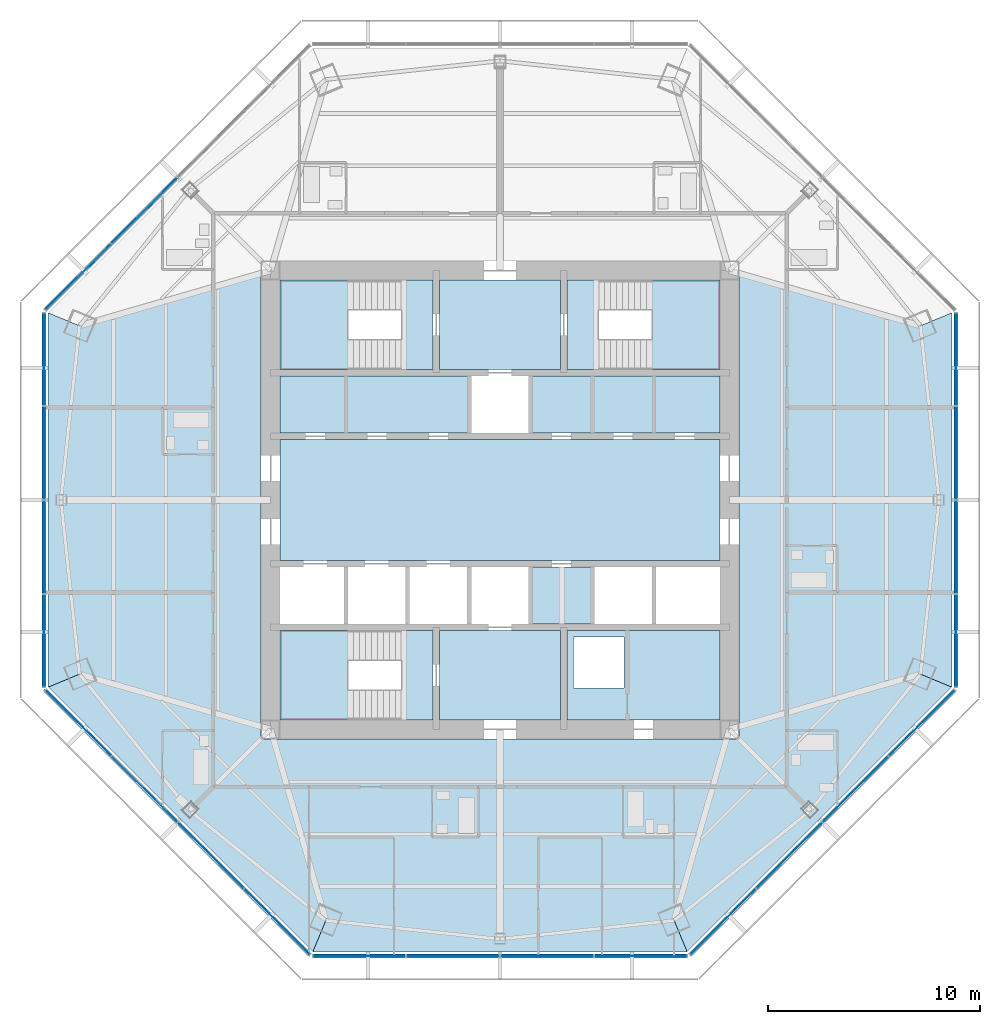
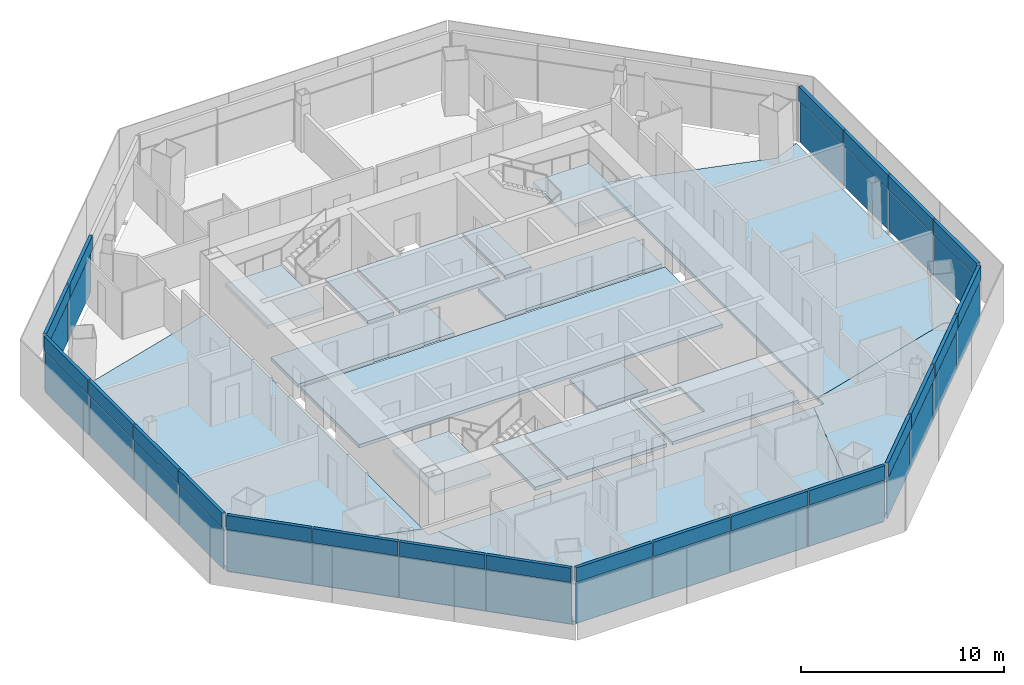
# One storey, part 7 of 15: 44 plates, 18 slabs, 9 elements without a shape of their own.
"""IFC4 building model written with IfcOpenShell, lengths in metres."""

from ifc_helpers import new_model, si_unit, direction, frame, origin, origin_2d, place, context, subcontext, project, spatial, polyline, rectangle, outline, extrude, source, transform, mapped, material, layer, layer_set, type_object, type_shapes, element, aggregate, save


model = new_model("IFC4")

# Units and contexts
model_context = context("Model", 3, precision=1e-05, world=origin(), true_north=direction((0.0, 1.0)))
body_context = subcontext(model_context, "Body", "Model", "MODEL_VIEW")
ifc_project = project(units=[si_unit("LENGTHUNIT", "METRE"), si_unit("AREAUNIT", "SQUARE_METRE"), si_unit("VOLUMEUNIT", "CUBIC_METRE"), si_unit("PLANEANGLEUNIT", "RADIAN"), si_unit("MASSUNIT", "GRAM", prefix="KILO")], contexts=[model_context])

# Site, building, storey
site_placement = place(None, origin())
site = spatial("IfcSite", under=ifc_project, at=site_placement, CompositionType="ELEMENT")
building_placement = place(site_placement, origin())
building = spatial("IfcBuilding", under=site, at=building_placement, Name="Mashrafa Tower", CompositionType="ELEMENT")
storey_placement = place(building_placement, frame((0.0, 0.0, 231.199951171875)))
storey = spatial("IfcBuildingStorey", under=building, at=storey_placement, Name="L54", CompositionType="ELEMENT", Elevation=231.199951171875)

# Slabs
ifc_material_1 = material(Name="Concrete C35/45", Category="concrete")
ifc_layer_1 = layer(ifc_material_1, 0.199951171875)
ifc_layer_set_1 = layer_set([ifc_layer_1], Name="Floor slab 200")
slab_type_1 = type_object("IfcSlabType", Name="Floor slab 200", PredefinedType="FLOOR", material=ifc_layer_set_1)
slab_1_placement = place(storey_placement, frame((0.0, 0.0, -0.199951171875)))
element("IfcSlab", 1, at=slab_1_placement, inside=storey, type_object=slab_type_1, Name="Floor slab L54 east bay", PredefinedType="FLOOR", context=body_context, shape_type="SweptSolid", body=[
    extrude(outline(polyline([(21.2744140625, 8.812255859375), (21.2744140625, -8.812255859375), (21.2744140625, -8.812255859375), (19.8017578125, -8.2021484375), (11.25, -10.670166015625), (11.25, 10.670166015625), (19.8017578125, 8.2021484375), (21.2744140625, 8.812255859375), (21.2744140625, 8.812255859375)])), origin(), (0.0, 0.0, 1.0), 0.199951171875),
])
slab_2_placement = place(storey_placement, frame((0.0, 0.0, -0.199951171875)))
element("IfcSlab", 2, at=slab_2_placement, inside=storey, type_object=slab_type_1, Name="Floor slab L54 west bay", PredefinedType="FLOOR", context=body_context, shape_type="SweptSolid", body=[
    extrude(outline(polyline([(-21.2744140625, -8.812255859375), (-21.2744140625, 8.812255859375), (-21.2744140625, 8.812255859375), (-19.8017578125, 8.2021484375), (-11.25, 10.670166015625), (-11.25, -10.670166015625), (-19.8017578125, -8.2021484375), (-21.2744140625, -8.812255859375), (-21.2744140625, -8.812255859375)])), origin(), (0.0, 0.0, 1.0), 0.199951171875),
])
slab_3_placement = place(storey_placement, frame((0.0, 0.0, -0.199951171875)))
element("IfcSlab", 3, at=slab_3_placement, inside=storey, type_object=slab_type_1, Name="Floor slab L54 south-west bay", PredefinedType="FLOOR", context=body_context, shape_type="SweptSolid", body=[
    extrude(outline(polyline([(-21.2744140625, -8.812255859375), (-19.8017578125, -8.2021484375), (-11.25, -10.670166015625), (-11.25, -11.25), (-10.670166015625, -11.25), (-8.2021484375, -19.8017578125), (-8.812255859375, -21.2744140625), (-21.2744140625, -8.812255859375)])), origin(), (0.0, 0.0, 1.0), 0.199951171875),
])
slab_4_placement = place(storey_placement, frame((0.0, 0.0, -0.199951171875)))
element("IfcSlab", 4, at=slab_4_placement, inside=storey, type_object=slab_type_1, Name="Floor slab L54 south bay", PredefinedType="FLOOR", context=body_context, shape_type="SweptSolid", body=[
    extrude(outline(polyline([(-8.812255859375, -21.2744140625), (-8.812255859375, -21.2744140625), (-8.2021484375, -19.8017578125), (-10.670166015625, -11.25), (10.670166015625, -11.25), (8.2021484375, -19.8017578125), (8.812255859375, -21.2744140625), (8.812255859375, -21.2744140625), (-8.812255859375, -21.2744140625)])), origin(), (0.0, 0.0, 1.0), 0.199951171875),
])
slab_5_placement = place(storey_placement, frame((0.0, 0.0, -0.199951171875)))
element("IfcSlab", 5, at=slab_5_placement, inside=storey, type_object=slab_type_1, Name="Floor slab L54 south-east bay", PredefinedType="FLOOR", context=body_context, shape_type="SweptSolid", body=[
    extrude(outline(polyline([(8.812255859375, -21.2744140625), (8.2021484375, -19.8017578125), (10.670166015625, -11.25), (11.25, -11.25), (11.25, -10.670166015625), (19.8017578125, -8.2021484375), (21.2744140625, -8.812255859375), (8.812255859375, -21.2744140625)])), origin(), (0.0, 0.0, 1.0), 0.199951171875),
])
slab_6_placement = place(storey_placement, frame((0.0, 0.0, -0.199951171875)))
element("IfcSlab", 6, at=slab_6_placement, inside=storey, type_object=slab_type_1, Name="Core floor lift hall L54", PredefinedType="FLOOR", context=body_context, shape_type="SweptSolid", body=[
    extrude(outline(polyline([(-10.35009765625, 2.85009765625), (10.35009765625, 2.85009765625), (10.35009765625, -2.85009765625), (-10.35009765625, -2.85009765625), (-10.35009765625, 2.85009765625)])), origin(), (0.0, 0.0, 1.0), 0.199951171875),
])
slab_7_placement = place(storey_placement, frame((0.0, 0.0, -0.199951171875)))
element("IfcSlab", 7, at=slab_7_placement, inside=storey, type_object=slab_type_1, Name="Core floor riser and electrical band L54", PredefinedType="FLOOR", context=body_context, shape_type="SweptSolid", body=[
    extrude(outline(polyline([(10.35009765625, -6.14990234375), (10.35009765625, -10.35009765625), (3.14990234375, -10.35009765625), (3.14990234375, -6.14990234375), (10.35009765625, -6.14990234375)]), holes=[polyline([(3.449951171875, -8.85009765625), (5.85009765625, -8.85009765625), (5.85009765625, -6.449951171875), (3.449951171875, -6.449951171875), (3.449951171875, -8.85009765625)])]), origin(), (0.0, 0.0, 1.0), 0.199951171875),
])
slab_8_placement = place(storey_placement, frame((0.0, 0.0, -0.199951171875)))
element("IfcSlab", 8, at=slab_8_placement, inside=storey, type_object=slab_type_1, Name="Core floor lift cell L54", PredefinedType="FLOOR", context=body_context, shape_type="SweptSolid", body=[
    extrude(outline(polyline([(-10.35009765625, 5.85009765625), (-1.449951171875, 5.85009765625), (-1.449951171875, 3.14990234375), (-10.35009765625, 3.14990234375), (-10.35009765625, 5.85009765625)])), origin(), (0.0, 0.0, 1.0), 0.199951171875),
])
slab_9_placement = place(storey_placement, frame((0.0, 0.0, -0.199951171875)))
element("IfcSlab", 9, at=slab_9_placement, inside=storey, type_object=slab_type_1, Name="Core floor lift cell L54", PredefinedType="FLOOR", context=body_context, shape_type="SweptSolid", body=[
    extrude(outline(polyline([(1.449951171875, 5.85009765625), (10.35009765625, 5.85009765625), (10.35009765625, 3.14990234375), (1.449951171875, 3.14990234375), (1.449951171875, 5.85009765625)])), origin(), (0.0, 0.0, 1.0), 0.199951171875),
])
slab_10_placement = place(storey_placement, frame((0.0, 0.0, -0.199951171875)))
element("IfcSlab", 10, at=slab_10_placement, inside=storey, type_object=slab_type_1, Name="Core floor fire-fighting lobby south L54", PredefinedType="FLOOR", context=body_context, shape_type="SweptSolid", body=[
    extrude(outline(polyline([(2.85009765625, -6.14990234375), (2.85009765625, -10.35009765625), (-2.85009765625, -10.35009765625), (-2.85009765625, -6.14990234375), (2.85009765625, -6.14990234375)])), origin(), (0.0, 0.0, 1.0), 0.199951171875),
])
slab_11_placement = place(storey_placement, frame((0.0, 0.0, -0.199951171875)))
element("IfcSlab", 11, at=slab_11_placement, inside=storey, type_object=slab_type_1, Name="Core floor fire-fighting lobby north L54", PredefinedType="FLOOR", context=body_context, shape_type="SweptSolid", body=[
    extrude(outline(polyline([(-2.85009765625, 10.35009765625), (2.85009765625, 10.35009765625), (2.85009765625, 6.14990234375), (-2.85009765625, 6.14990234375), (-2.85009765625, 10.35009765625)])), origin(), (0.0, 0.0, 1.0), 0.199951171875),
])
slab_12_placement = place(storey_placement, frame((0.0, 0.0, -0.199951171875)))
element("IfcSlab", 12, at=slab_12_placement, inside=storey, type_object=slab_type_1, Name="Core floor lift cell L54", PredefinedType="FLOOR", context=body_context, shape_type="SweptSolid", body=[
    extrude(outline(polyline([(4.35009765625, -3.14990234375), (4.35009765625, -5.85009765625), (1.449951171875, -5.85009765625), (1.449951171875, -3.14990234375), (4.35009765625, -3.14990234375)])), origin(), (0.0, 0.0, 1.0), 0.199951171875),
])

# Stair, slabs
ifc_material_2 = material(Name="Exit stair 1400")
stair_type = type_object("IfcStairType", Name="Exit stair 1400", PredefinedType="HALF_TURN_STAIR", material=ifc_material_2)
stair_1_placement = place(storey_placement, origin())
stair_1 = element("IfcStair", 13, at=stair_1_placement, inside=storey, type_object=stair_type, Name="Stair S1 L54", PredefinedType="HALF_TURN_STAIR")
ifc_material_3 = material(Name="Concrete C32/40", Category="concrete")
ifc_layer_2 = layer(ifc_material_3, 0.199951171875)
ifc_layer_set_2 = layer_set([ifc_layer_2], Name="Stair landing 200")
slab_type_2 = type_object("IfcSlabType", Name="Stair landing 200", PredefinedType="LANDING", material=ifc_layer_set_2)
slab_13_placement = place(storey_placement, frame((0.0, 0.0, -0.199951171875)))
slab_13 = element("IfcSlab", 14, at=slab_13_placement, type_object=slab_type_2, Name="S1 landing 1", PredefinedType="LANDING", context=body_context, shape_type="SweptSolid", body=[
    extrude(outline(polyline([(-4.659912109375, 6.14990234375), (-3.14990234375, 6.14990234375), (-3.14990234375, 10.35009765625), (-4.659912109375, 10.35009765625), (-4.659912109375, 6.14990234375)])), origin(), (0.0, 0.0, 1.0), 0.199951171875),
])
slab_14_placement = place(storey_placement, frame((0.0, 0.0, 1.5)))
slab_14 = element("IfcSlab", 15, at=slab_14_placement, type_object=slab_type_2, Name="S1 landing 2", PredefinedType="LANDING", context=body_context, shape_type="SweptSolid", body=[
    extrude(outline(polyline([(-10.35009765625, 6.14990234375), (-7.159912109375, 6.14990234375), (-7.159912109375, 10.35009765625), (-10.35009765625, 10.35009765625), (-10.35009765625, 6.14990234375)])), origin(), (0.0, 0.0, 1.0), 0.199951171875),
])
aggregate(stair_1, [slab_13, slab_14])

stair_2_placement = place(storey_placement, origin())
stair_2 = element("IfcStair", 16, at=stair_2_placement, inside=storey, type_object=stair_type, Name="Stair S2 L54", PredefinedType="HALF_TURN_STAIR")
slab_15_placement = place(storey_placement, frame((0.0, 0.0, -0.199951171875)))
slab_15 = element("IfcSlab", 17, at=slab_15_placement, type_object=slab_type_2, Name="S2 landing 1", PredefinedType="LANDING", context=body_context, shape_type="SweptSolid", body=[
    extrude(outline(polyline([(3.14990234375, 6.14990234375), (4.659912109375, 6.14990234375), (4.659912109375, 10.35009765625), (3.14990234375, 10.35009765625), (3.14990234375, 6.14990234375)])), origin(), (0.0, 0.0, 1.0), 0.199951171875),
])
slab_16_placement = place(storey_placement, frame((0.0, 0.0, 1.5)))
slab_16 = element("IfcSlab", 18, at=slab_16_placement, type_object=slab_type_2, Name="S2 landing 2", PredefinedType="LANDING", context=body_context, shape_type="SweptSolid", body=[
    extrude(outline(polyline([(7.159912109375, 6.14990234375), (10.35009765625, 6.14990234375), (10.35009765625, 10.35009765625), (7.159912109375, 10.35009765625), (7.159912109375, 6.14990234375)])), origin(), (0.0, 0.0, 1.0), 0.199951171875),
])
aggregate(stair_2, [slab_15, slab_16])

stair_3_placement = place(storey_placement, origin())
stair_3 = element("IfcStair", 19, at=stair_3_placement, inside=storey, type_object=stair_type, Name="Stair S3 L54", PredefinedType="HALF_TURN_STAIR")
slab_17_placement = place(storey_placement, frame((0.0, 0.0, -0.199951171875)))
slab_17 = element("IfcSlab", 20, at=slab_17_placement, type_object=slab_type_2, Name="S3 landing 1", PredefinedType="LANDING", context=body_context, shape_type="SweptSolid", body=[
    extrude(outline(polyline([(-4.659912109375, -10.35009765625), (-3.14990234375, -10.35009765625), (-3.14990234375, -6.14990234375), (-4.659912109375, -6.14990234375), (-4.659912109375, -10.35009765625)])), origin(), (0.0, 0.0, 1.0), 0.199951171875),
])
slab_18_placement = place(storey_placement, frame((0.0, 0.0, 1.5)))
slab_18 = element("IfcSlab", 21, at=slab_18_placement, type_object=slab_type_2, Name="S3 landing 2", PredefinedType="LANDING", context=body_context, shape_type="SweptSolid", body=[
    extrude(outline(polyline([(-10.35009765625, -10.35009765625), (-7.159912109375, -10.35009765625), (-7.159912109375, -6.14990234375), (-10.35009765625, -6.14990234375), (-10.35009765625, -10.35009765625)])), origin(), (0.0, 0.0, 1.0), 0.199951171875),
])
aggregate(stair_3, [slab_17, slab_18])

# Curtain wall, plates
ifc_material_4 = material(Name="Unitised aluminium curtain wall", Category="aluminium")
curtain_wall_type = type_object("IfcCurtainWallType", Name="Apartment curtain wall, zone 3 CW-C 180 deep", PredefinedType="NOTDEFINED", material=ifc_material_4)
curtain_wall_1_placement = place(storey_placement, origin())
curtain_wall_1 = element("IfcCurtainWall", 22, at=curtain_wall_1_placement, inside=storey, type_object=curtain_wall_type, Name="Apartment curtain wall, zone 3 L54 east", PredefinedType="NOTDEFINED")
ifc_material_5 = material(Name="Insulated double glazing, acoustic", Category="glass")
ifc_layer_3 = layer(ifc_material_5, 0.028076171875)
ifc_layer_set_3 = layer_set([ifc_layer_3], Name="Vision panel CW-C 28")
plate_type_1 = type_object("IfcPlateType", Name="Vision panel CW-C 28", PredefinedType="CURTAIN_PANEL", material=ifc_layer_set_3)
shared_shape_1 = source(origin(), body_context, "Body", "SweptSolid", [
    extrude(rectangle(XDim=4.333740234375, YDim=0.028076171875, at=origin_2d()), origin(), (0.0, 0.0, 1.0), 2.46240234375),
])
plate_1_placement = place(storey_placement, frame((21.474365234375, -6.620849609375, 0.0), z_axis=(0.0, 0.0, 1.0), x_axis=(0.0, 1.0, 0.0)))
plate_1 = element("IfcPlate", 23, at=plate_1_placement, type_object=plate_type_1, Name="CW-C vision panel 1", PredefinedType="CURTAIN_PANEL", context=body_context, shape_type="MappedRepresentation", body=[
    mapped(shared_shape_1, transform((0.0, 0.0, 0.0))),
])
plate_2_placement = place(storey_placement, frame((21.474365234375, 6.620849609375, 0.0), z_axis=(0.0, 0.0, 1.0), x_axis=(0.0, 1.0, 0.0)))
plate_2 = element("IfcPlate", 24, at=plate_2_placement, type_object=plate_type_1, Name="CW-C vision panel 4", PredefinedType="CURTAIN_PANEL", context=body_context, shape_type="MappedRepresentation", body=[
    mapped(shared_shape_1, transform((0.0, 0.0, 0.0))),
])

# Curtain wall, plate
curtain_wall_2_placement = place(storey_placement, origin())
curtain_wall_2 = element("IfcCurtainWall", 25, at=curtain_wall_2_placement, inside=storey, type_object=curtain_wall_type, Name="Apartment curtain wall, zone 3 L54 north-west", PredefinedType="NOTDEFINED")
plate_3_placement = place(storey_placement, frame((-19.8662109375, 10.503173828125, 0.0), z_axis=(0.0, 0.0, 1.0), x_axis=(-0.707106781187, -0.707106781187, 0.0)))
plate_3 = element("IfcPlate", 26, at=plate_3_placement, type_object=plate_type_1, Name="CW-C vision panel 4", PredefinedType="CURTAIN_PANEL", context=body_context, shape_type="MappedRepresentation", body=[
    mapped(shared_shape_1, transform((0.0, 0.0, 0.0))),
])

# Curtain wall, plates
curtain_wall_3_placement = place(storey_placement, origin())
curtain_wall_3 = element("IfcCurtainWall", 27, at=curtain_wall_3_placement, inside=storey, type_object=curtain_wall_type, Name="Apartment curtain wall, zone 3 L54 west", PredefinedType="NOTDEFINED")
plate_4_placement = place(storey_placement, frame((-21.474365234375, 6.620849609375, 0.0), z_axis=(0.0, 0.0, 1.0), x_axis=(0.0, -1.0, 0.0)))
plate_4 = element("IfcPlate", 28, at=plate_4_placement, type_object=plate_type_1, Name="CW-C vision panel 1", PredefinedType="CURTAIN_PANEL", context=body_context, shape_type="MappedRepresentation", body=[
    mapped(shared_shape_1, transform((0.0, 0.0, 0.0))),
])
plate_5_placement = place(storey_placement, frame((-21.474365234375, -6.620849609375, 0.0), z_axis=(0.0, 0.0, 1.0), x_axis=(0.0, -1.0, 0.0)))
plate_5 = element("IfcPlate", 29, at=plate_5_placement, type_object=plate_type_1, Name="CW-C vision panel 4", PredefinedType="CURTAIN_PANEL", context=body_context, shape_type="MappedRepresentation", body=[
    mapped(shared_shape_1, transform((0.0, 0.0, 0.0))),
])

curtain_wall_4_placement = place(storey_placement, origin())
curtain_wall_4 = element("IfcCurtainWall", 30, at=curtain_wall_4_placement, inside=storey, type_object=curtain_wall_type, Name="Apartment curtain wall, zone 3 L54 south-west", PredefinedType="NOTDEFINED")
plate_6_placement = place(storey_placement, frame((-19.8662109375, -10.503173828125, 0.0), z_axis=(0.0, 0.0, 1.0), x_axis=(0.707106781187, -0.707106781187, 0.0)))
plate_6 = element("IfcPlate", 31, at=plate_6_placement, type_object=plate_type_1, Name="CW-C vision panel 1", PredefinedType="CURTAIN_PANEL", context=body_context, shape_type="MappedRepresentation", body=[
    mapped(shared_shape_1, transform((0.0, 0.0, 0.0))),
])
plate_7_placement = place(storey_placement, frame((-10.503173828125, -19.8662109375, 0.0), z_axis=(0.0, 0.0, 1.0), x_axis=(0.707106781187, -0.707106781187, 0.0)))
plate_7 = element("IfcPlate", 32, at=plate_7_placement, type_object=plate_type_1, Name="CW-C vision panel 4", PredefinedType="CURTAIN_PANEL", context=body_context, shape_type="MappedRepresentation", body=[
    mapped(shared_shape_1, transform((0.0, 0.0, 0.0))),
])

curtain_wall_5_placement = place(storey_placement, origin())
curtain_wall_5 = element("IfcCurtainWall", 33, at=curtain_wall_5_placement, inside=storey, type_object=curtain_wall_type, Name="Apartment curtain wall, zone 3 L54 south", PredefinedType="NOTDEFINED")
plate_8_placement = place(storey_placement, frame((-6.620849609375, -21.474365234375, 0.0), z_axis=(0.0, 0.0, 1.0), x_axis=(1.0, 0.0, 0.0)))
plate_8 = element("IfcPlate", 34, at=plate_8_placement, type_object=plate_type_1, Name="CW-C vision panel 1", PredefinedType="CURTAIN_PANEL", context=body_context, shape_type="MappedRepresentation", body=[
    mapped(shared_shape_1, transform((0.0, 0.0, 0.0))),
])
plate_9_placement = place(storey_placement, frame((6.620849609375, -21.474365234375, 0.0), z_axis=(0.0, 0.0, 1.0), x_axis=(1.0, 0.0, 0.0)))
plate_9 = element("IfcPlate", 35, at=plate_9_placement, type_object=plate_type_1, Name="CW-C vision panel 4", PredefinedType="CURTAIN_PANEL", context=body_context, shape_type="MappedRepresentation", body=[
    mapped(shared_shape_1, transform((0.0, 0.0, 0.0))),
])

curtain_wall_6_placement = place(storey_placement, origin())
curtain_wall_6 = element("IfcCurtainWall", 36, at=curtain_wall_6_placement, inside=storey, type_object=curtain_wall_type, Name="Apartment curtain wall, zone 3 L54 south-east", PredefinedType="NOTDEFINED")
plate_10_placement = place(storey_placement, frame((10.503173828125, -19.8662109375, 0.0), z_axis=(0.0, 0.0, 1.0), x_axis=(0.707106781187, 0.707106781187, 0.0)))
plate_10 = element("IfcPlate", 37, at=plate_10_placement, type_object=plate_type_1, Name="CW-C vision panel 1", PredefinedType="CURTAIN_PANEL", context=body_context, shape_type="MappedRepresentation", body=[
    mapped(shared_shape_1, transform((0.0, 0.0, 0.0))),
])
plate_11_placement = place(storey_placement, frame((19.8662109375, -10.503173828125, 0.0), z_axis=(0.0, 0.0, 1.0), x_axis=(0.707106781187, 0.707106781187, 0.0)))
plate_11 = element("IfcPlate", 38, at=plate_11_placement, type_object=plate_type_1, Name="CW-C vision panel 4", PredefinedType="CURTAIN_PANEL", context=body_context, shape_type="MappedRepresentation", body=[
    mapped(shared_shape_1, transform((0.0, 0.0, 0.0))),
])

# Plate
ifc_material_6 = material(Name="Insulated bronze aluminium spandrel panel", Category="aluminium")
ifc_layer_4 = layer(ifc_material_6, 0.179931640625)
ifc_layer_set_4 = layer_set([ifc_layer_4], Name="Spandrel panel CW-C 180")
plate_type_2 = type_object("IfcPlateType", Name="Spandrel panel CW-C 180", PredefinedType="CURTAIN_PANEL", material=ifc_layer_set_4)
shared_shape_2 = source(origin(), body_context, "Body", "SweptSolid", [
    extrude(rectangle(XDim=4.333740234375, YDim=0.179931640625, at=origin_2d()), origin(), (0.0, 0.0, 1.0), 0.862548828125),
])
plate_12_placement = place(storey_placement, frame((21.474365234375, -6.620849609375, 2.53759765625), z_axis=(0.0, 0.0, 1.0), x_axis=(0.0, 1.0, 0.0)))
plate_12 = element("IfcPlate", 39, at=plate_12_placement, type_object=plate_type_2, Name="CW-C spandrel panel 1", PredefinedType="CURTAIN_PANEL", context=body_context, shape_type="MappedRepresentation", body=[
    mapped(shared_shape_2, transform((0.0, 0.0, 0.0))),
])

plate_13_placement = place(storey_placement, frame((21.474365234375, 6.620849609375, 2.53759765625), z_axis=(0.0, 0.0, 1.0), x_axis=(0.0, 1.0, 0.0)))
plate_13 = element("IfcPlate", 40, at=plate_13_placement, type_object=plate_type_2, Name="CW-C spandrel panel 4", PredefinedType="CURTAIN_PANEL", context=body_context, shape_type="MappedRepresentation", body=[
    mapped(shared_shape_2, transform((0.0, 0.0, 0.0))),
])

plate_14_placement = place(storey_placement, frame((-19.8662109375, 10.503173828125, 2.53759765625), z_axis=(0.0, 0.0, 1.0), x_axis=(-0.707106781187, -0.707106781187, 0.0)))
plate_14 = element("IfcPlate", 41, at=plate_14_placement, type_object=plate_type_2, Name="CW-C spandrel panel 4", PredefinedType="CURTAIN_PANEL", context=body_context, shape_type="MappedRepresentation", body=[
    mapped(shared_shape_2, transform((0.0, 0.0, 0.0))),
])

plate_15_placement = place(storey_placement, frame((-21.474365234375, 6.620849609375, 2.53759765625), z_axis=(0.0, 0.0, 1.0), x_axis=(0.0, -1.0, 0.0)))
plate_15 = element("IfcPlate", 42, at=plate_15_placement, type_object=plate_type_2, Name="CW-C spandrel panel 1", PredefinedType="CURTAIN_PANEL", context=body_context, shape_type="MappedRepresentation", body=[
    mapped(shared_shape_2, transform((0.0, 0.0, 0.0))),
])

plate_16_placement = place(storey_placement, frame((-21.474365234375, -6.620849609375, 2.53759765625), z_axis=(0.0, 0.0, 1.0), x_axis=(0.0, -1.0, 0.0)))
plate_16 = element("IfcPlate", 43, at=plate_16_placement, type_object=plate_type_2, Name="CW-C spandrel panel 4", PredefinedType="CURTAIN_PANEL", context=body_context, shape_type="MappedRepresentation", body=[
    mapped(shared_shape_2, transform((0.0, 0.0, 0.0))),
])

plate_17_placement = place(storey_placement, frame((-19.8662109375, -10.503173828125, 2.53759765625), z_axis=(0.0, 0.0, 1.0), x_axis=(0.707106781187, -0.707106781187, 0.0)))
plate_17 = element("IfcPlate", 44, at=plate_17_placement, type_object=plate_type_2, Name="CW-C spandrel panel 1", PredefinedType="CURTAIN_PANEL", context=body_context, shape_type="MappedRepresentation", body=[
    mapped(shared_shape_2, transform((0.0, 0.0, 0.0))),
])

plate_18_placement = place(storey_placement, frame((-10.503173828125, -19.8662109375, 2.53759765625), z_axis=(0.0, 0.0, 1.0), x_axis=(0.707106781187, -0.707106781187, 0.0)))
plate_18 = element("IfcPlate", 45, at=plate_18_placement, type_object=plate_type_2, Name="CW-C spandrel panel 4", PredefinedType="CURTAIN_PANEL", context=body_context, shape_type="MappedRepresentation", body=[
    mapped(shared_shape_2, transform((0.0, 0.0, 0.0))),
])

plate_19_placement = place(storey_placement, frame((-6.620849609375, -21.474365234375, 2.53759765625), z_axis=(0.0, 0.0, 1.0), x_axis=(1.0, 0.0, 0.0)))
plate_19 = element("IfcPlate", 46, at=plate_19_placement, type_object=plate_type_2, Name="CW-C spandrel panel 1", PredefinedType="CURTAIN_PANEL", context=body_context, shape_type="MappedRepresentation", body=[
    mapped(shared_shape_2, transform((0.0, 0.0, 0.0))),
])

plate_20_placement = place(storey_placement, frame((6.620849609375, -21.474365234375, 2.53759765625), z_axis=(0.0, 0.0, 1.0), x_axis=(1.0, 0.0, 0.0)))
plate_20 = element("IfcPlate", 47, at=plate_20_placement, type_object=plate_type_2, Name="CW-C spandrel panel 4", PredefinedType="CURTAIN_PANEL", context=body_context, shape_type="MappedRepresentation", body=[
    mapped(shared_shape_2, transform((0.0, 0.0, 0.0))),
])

plate_21_placement = place(storey_placement, frame((10.503173828125, -19.8662109375, 2.53759765625), z_axis=(0.0, 0.0, 1.0), x_axis=(0.707106781187, 0.707106781187, 0.0)))
plate_21 = element("IfcPlate", 48, at=plate_21_placement, type_object=plate_type_2, Name="CW-C spandrel panel 1", PredefinedType="CURTAIN_PANEL", context=body_context, shape_type="MappedRepresentation", body=[
    mapped(shared_shape_2, transform((0.0, 0.0, 0.0))),
])

plate_22_placement = place(storey_placement, frame((19.8662109375, -10.503173828125, 2.53759765625), z_axis=(0.0, 0.0, 1.0), x_axis=(0.707106781187, 0.707106781187, 0.0)))
plate_22 = element("IfcPlate", 49, at=plate_22_placement, type_object=plate_type_2, Name="CW-C spandrel panel 4", PredefinedType="CURTAIN_PANEL", context=body_context, shape_type="MappedRepresentation", body=[
    mapped(shared_shape_2, transform((0.0, 0.0, 0.0))),
])

shared_shape_3 = source(origin(), body_context, "Body", "SweptSolid", [
    extrude(rectangle(XDim=4.36376953125, YDim=0.028076171875, at=origin_2d()), origin(), (0.0, 0.0, 1.0), 2.46240234375),
])
type_shapes(plate_type_1, [shared_shape_1, shared_shape_3])
plate_23_placement = place(storey_placement, frame((21.474365234375, -2.2119140625, 0.0), z_axis=(0.0, 0.0, 1.0), x_axis=(0.0, 1.0, 0.0)))
plate_23 = element("IfcPlate", 50, at=plate_23_placement, type_object=plate_type_1, Name="CW-C vision panel 2", PredefinedType="CURTAIN_PANEL", context=body_context, shape_type="MappedRepresentation", body=[
    mapped(shared_shape_3, transform((0.0, 0.0, 0.0))),
])

plate_24_placement = place(storey_placement, frame((21.474365234375, 2.2119140625, 0.0), z_axis=(0.0, 0.0, 1.0), x_axis=(0.0, 1.0, 0.0)))
plate_24 = element("IfcPlate", 51, at=plate_24_placement, type_object=plate_type_1, Name="CW-C vision panel 3", PredefinedType="CURTAIN_PANEL", context=body_context, shape_type="MappedRepresentation", body=[
    mapped(shared_shape_3, transform((0.0, 0.0, 0.0))),
])

plate_25_placement = place(storey_placement, frame((-16.748779296875, 13.62060546875, 0.0), z_axis=(0.0, 0.0, 1.0), x_axis=(-0.707106781187, -0.707106781187, 0.0)))
plate_25 = element("IfcPlate", 52, at=plate_25_placement, type_object=plate_type_1, Name="CW-C vision panel 3", PredefinedType="CURTAIN_PANEL", context=body_context, shape_type="MappedRepresentation", body=[
    mapped(shared_shape_3, transform((0.0, 0.0, 0.0))),
])

plate_26_placement = place(storey_placement, frame((-21.474365234375, 2.2119140625, 0.0), z_axis=(0.0, 0.0, 1.0), x_axis=(0.0, -1.0, 0.0)))
plate_26 = element("IfcPlate", 53, at=plate_26_placement, type_object=plate_type_1, Name="CW-C vision panel 2", PredefinedType="CURTAIN_PANEL", context=body_context, shape_type="MappedRepresentation", body=[
    mapped(shared_shape_3, transform((0.0, 0.0, 0.0))),
])

plate_27_placement = place(storey_placement, frame((-21.474365234375, -2.2119140625, 0.0), z_axis=(0.0, 0.0, 1.0), x_axis=(0.0, -1.0, 0.0)))
plate_27 = element("IfcPlate", 54, at=plate_27_placement, type_object=plate_type_1, Name="CW-C vision panel 3", PredefinedType="CURTAIN_PANEL", context=body_context, shape_type="MappedRepresentation", body=[
    mapped(shared_shape_3, transform((0.0, 0.0, 0.0))),
])

plate_28_placement = place(storey_placement, frame((-16.748779296875, -13.62060546875, 0.0), z_axis=(0.0, 0.0, 1.0), x_axis=(0.707106781187, -0.707106781187, 0.0)))
plate_28 = element("IfcPlate", 55, at=plate_28_placement, type_object=plate_type_1, Name="CW-C vision panel 2", PredefinedType="CURTAIN_PANEL", context=body_context, shape_type="MappedRepresentation", body=[
    mapped(shared_shape_3, transform((0.0, 0.0, 0.0))),
])

plate_29_placement = place(storey_placement, frame((-13.62060546875, -16.748779296875, 0.0), z_axis=(0.0, 0.0, 1.0), x_axis=(0.707106781187, -0.707106781187, 0.0)))
plate_29 = element("IfcPlate", 56, at=plate_29_placement, type_object=plate_type_1, Name="CW-C vision panel 3", PredefinedType="CURTAIN_PANEL", context=body_context, shape_type="MappedRepresentation", body=[
    mapped(shared_shape_3, transform((0.0, 0.0, 0.0))),
])

plate_30_placement = place(storey_placement, frame((-2.2119140625, -21.474365234375, 0.0), z_axis=(0.0, 0.0, 1.0), x_axis=(1.0, 0.0, 0.0)))
plate_30 = element("IfcPlate", 57, at=plate_30_placement, type_object=plate_type_1, Name="CW-C vision panel 2", PredefinedType="CURTAIN_PANEL", context=body_context, shape_type="MappedRepresentation", body=[
    mapped(shared_shape_3, transform((0.0, 0.0, 0.0))),
])

plate_31_placement = place(storey_placement, frame((2.2119140625, -21.474365234375, 0.0), z_axis=(0.0, 0.0, 1.0), x_axis=(1.0, 0.0, 0.0)))
plate_31 = element("IfcPlate", 58, at=plate_31_placement, type_object=plate_type_1, Name="CW-C vision panel 3", PredefinedType="CURTAIN_PANEL", context=body_context, shape_type="MappedRepresentation", body=[
    mapped(shared_shape_3, transform((0.0, 0.0, 0.0))),
])

plate_32_placement = place(storey_placement, frame((13.62060546875, -16.748779296875, 0.0), z_axis=(0.0, 0.0, 1.0), x_axis=(0.707106781187, 0.707106781187, 0.0)))
plate_32 = element("IfcPlate", 59, at=plate_32_placement, type_object=plate_type_1, Name="CW-C vision panel 2", PredefinedType="CURTAIN_PANEL", context=body_context, shape_type="MappedRepresentation", body=[
    mapped(shared_shape_3, transform((0.0, 0.0, 0.0))),
])

plate_33_placement = place(storey_placement, frame((16.748779296875, -13.62060546875, 0.0), z_axis=(0.0, 0.0, 1.0), x_axis=(0.707106781187, 0.707106781187, 0.0)))
plate_33 = element("IfcPlate", 60, at=plate_33_placement, type_object=plate_type_1, Name="CW-C vision panel 3", PredefinedType="CURTAIN_PANEL", context=body_context, shape_type="MappedRepresentation", body=[
    mapped(shared_shape_3, transform((0.0, 0.0, 0.0))),
])

shared_shape_4 = source(origin(), body_context, "Body", "SweptSolid", [
    extrude(rectangle(XDim=4.36376953125, YDim=0.179931640625, at=origin_2d()), origin(), (0.0, 0.0, 1.0), 0.862548828125),
])
type_shapes(plate_type_2, [shared_shape_2, shared_shape_4])
plate_34_placement = place(storey_placement, frame((21.474365234375, -2.2119140625, 2.53759765625), z_axis=(0.0, 0.0, 1.0), x_axis=(0.0, 1.0, 0.0)))
plate_34 = element("IfcPlate", 61, at=plate_34_placement, type_object=plate_type_2, Name="CW-C spandrel panel 2", PredefinedType="CURTAIN_PANEL", context=body_context, shape_type="MappedRepresentation", body=[
    mapped(shared_shape_4, transform((0.0, 0.0, 0.0))),
])

plate_35_placement = place(storey_placement, frame((21.474365234375, 2.2119140625, 2.53759765625), z_axis=(0.0, 0.0, 1.0), x_axis=(0.0, 1.0, 0.0)))
plate_35 = element("IfcPlate", 62, at=plate_35_placement, type_object=plate_type_2, Name="CW-C spandrel panel 3", PredefinedType="CURTAIN_PANEL", context=body_context, shape_type="MappedRepresentation", body=[
    mapped(shared_shape_4, transform((0.0, 0.0, 0.0))),
])

aggregate(curtain_wall_1, [plate_1, plate_12, plate_23, plate_34, plate_24, plate_35, plate_2, plate_13])

plate_36_placement = place(storey_placement, frame((-16.748779296875, 13.62060546875, 2.53759765625), z_axis=(0.0, 0.0, 1.0), x_axis=(-0.707106781187, -0.707106781187, 0.0)))
plate_36 = element("IfcPlate", 63, at=plate_36_placement, type_object=plate_type_2, Name="CW-C spandrel panel 3", PredefinedType="CURTAIN_PANEL", context=body_context, shape_type="MappedRepresentation", body=[
    mapped(shared_shape_4, transform((0.0, 0.0, 0.0))),
])

aggregate(curtain_wall_2, [plate_25, plate_36, plate_3, plate_14])

plate_37_placement = place(storey_placement, frame((-21.474365234375, 2.2119140625, 2.53759765625), z_axis=(0.0, 0.0, 1.0), x_axis=(0.0, -1.0, 0.0)))
plate_37 = element("IfcPlate", 64, at=plate_37_placement, type_object=plate_type_2, Name="CW-C spandrel panel 2", PredefinedType="CURTAIN_PANEL", context=body_context, shape_type="MappedRepresentation", body=[
    mapped(shared_shape_4, transform((0.0, 0.0, 0.0))),
])

plate_38_placement = place(storey_placement, frame((-21.474365234375, -2.2119140625, 2.53759765625), z_axis=(0.0, 0.0, 1.0), x_axis=(0.0, -1.0, 0.0)))
plate_38 = element("IfcPlate", 65, at=plate_38_placement, type_object=plate_type_2, Name="CW-C spandrel panel 3", PredefinedType="CURTAIN_PANEL", context=body_context, shape_type="MappedRepresentation", body=[
    mapped(shared_shape_4, transform((0.0, 0.0, 0.0))),
])

aggregate(curtain_wall_3, [plate_4, plate_15, plate_26, plate_37, plate_27, plate_38, plate_5, plate_16])

plate_39_placement = place(storey_placement, frame((-16.748779296875, -13.62060546875, 2.53759765625), z_axis=(0.0, 0.0, 1.0), x_axis=(0.707106781187, -0.707106781187, 0.0)))
plate_39 = element("IfcPlate", 66, at=plate_39_placement, type_object=plate_type_2, Name="CW-C spandrel panel 2", PredefinedType="CURTAIN_PANEL", context=body_context, shape_type="MappedRepresentation", body=[
    mapped(shared_shape_4, transform((0.0, 0.0, 0.0))),
])

plate_40_placement = place(storey_placement, frame((-13.62060546875, -16.748779296875, 2.53759765625), z_axis=(0.0, 0.0, 1.0), x_axis=(0.707106781187, -0.707106781187, 0.0)))
plate_40 = element("IfcPlate", 67, at=plate_40_placement, type_object=plate_type_2, Name="CW-C spandrel panel 3", PredefinedType="CURTAIN_PANEL", context=body_context, shape_type="MappedRepresentation", body=[
    mapped(shared_shape_4, transform((0.0, 0.0, 0.0))),
])

aggregate(curtain_wall_4, [plate_6, plate_17, plate_28, plate_39, plate_29, plate_40, plate_7, plate_18])

plate_41_placement = place(storey_placement, frame((-2.2119140625, -21.474365234375, 2.53759765625), z_axis=(0.0, 0.0, 1.0), x_axis=(1.0, 0.0, 0.0)))
plate_41 = element("IfcPlate", 68, at=plate_41_placement, type_object=plate_type_2, Name="CW-C spandrel panel 2", PredefinedType="CURTAIN_PANEL", context=body_context, shape_type="MappedRepresentation", body=[
    mapped(shared_shape_4, transform((0.0, 0.0, 0.0))),
])

plate_42_placement = place(storey_placement, frame((2.2119140625, -21.474365234375, 2.53759765625), z_axis=(0.0, 0.0, 1.0), x_axis=(1.0, 0.0, 0.0)))
plate_42 = element("IfcPlate", 69, at=plate_42_placement, type_object=plate_type_2, Name="CW-C spandrel panel 3", PredefinedType="CURTAIN_PANEL", context=body_context, shape_type="MappedRepresentation", body=[
    mapped(shared_shape_4, transform((0.0, 0.0, 0.0))),
])

aggregate(curtain_wall_5, [plate_8, plate_19, plate_30, plate_41, plate_31, plate_42, plate_9, plate_20])

plate_43_placement = place(storey_placement, frame((13.62060546875, -16.748779296875, 2.53759765625), z_axis=(0.0, 0.0, 1.0), x_axis=(0.707106781187, 0.707106781187, 0.0)))
plate_43 = element("IfcPlate", 70, at=plate_43_placement, type_object=plate_type_2, Name="CW-C spandrel panel 2", PredefinedType="CURTAIN_PANEL", context=body_context, shape_type="MappedRepresentation", body=[
    mapped(shared_shape_4, transform((0.0, 0.0, 0.0))),
])

plate_44_placement = place(storey_placement, frame((16.748779296875, -13.62060546875, 2.53759765625), z_axis=(0.0, 0.0, 1.0), x_axis=(0.707106781187, 0.707106781187, 0.0)))
plate_44 = element("IfcPlate", 71, at=plate_44_placement, type_object=plate_type_2, Name="CW-C spandrel panel 3", PredefinedType="CURTAIN_PANEL", context=body_context, shape_type="MappedRepresentation", body=[
    mapped(shared_shape_4, transform((0.0, 0.0, 0.0))),
])

aggregate(curtain_wall_6, [plate_10, plate_21, plate_32, plate_43, plate_33, plate_44, plate_11, plate_22])

save(model, "model.ifc")
